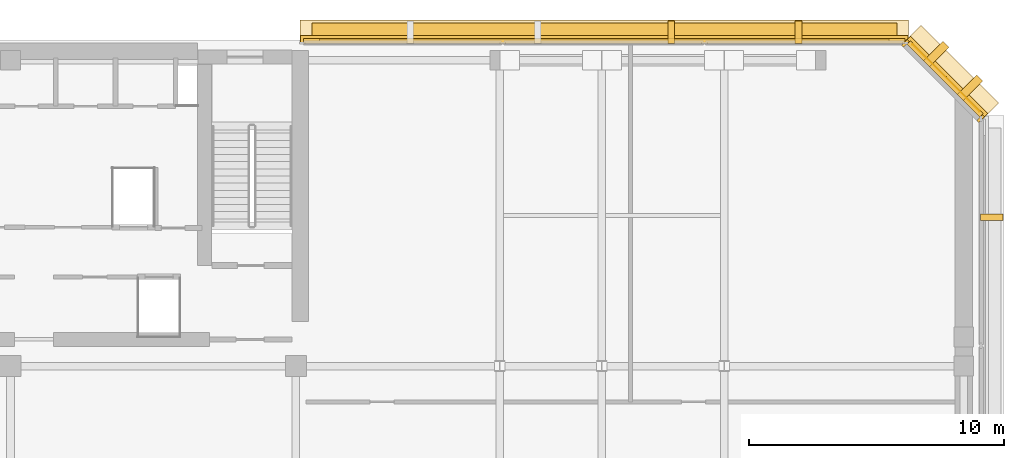
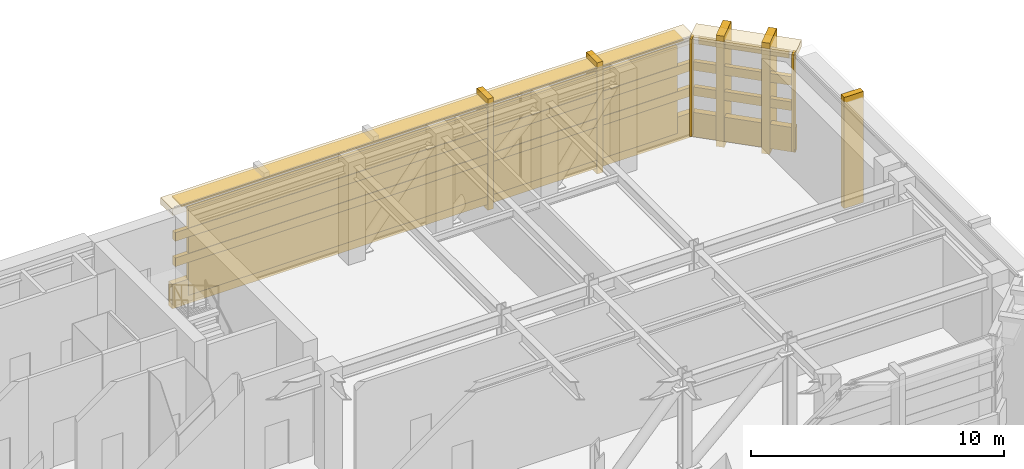
# One storey, part 11 of 11: 16 coverings, 2 shading devices.
"""IFC4 building model written with IfcOpenShell, lengths in metres."""

from ifc_helpers import new_model, si_unit, direction, frame, origin, origin_2d, place, context, subcontext, project, spatial, rectangle, extrude, material, layer, layer_set, type_object, element, save


model = new_model("IFC4")

# Units and contexts
model_context = context("Model", 3, precision=1e-05, world=origin(), true_north=direction((0.0, 1.0)))
body_context = subcontext(model_context, "Body", "Model", "MODEL_VIEW")
ifc_project = project(units=[si_unit("LENGTHUNIT", "METRE"), si_unit("AREAUNIT", "SQUARE_METRE"), si_unit("VOLUMEUNIT", "CUBIC_METRE"), si_unit("PLANEANGLEUNIT", "RADIAN"), si_unit("MASSUNIT", "GRAM", prefix="KILO")], contexts=[model_context])

# Site, building, storey
site_placement = place(None, origin())
site = spatial("IfcSite", under=ifc_project, at=site_placement, CompositionType="ELEMENT")
building_placement = place(site_placement, origin())
building = spatial("IfcBuilding", under=site, at=building_placement, Name="Kefirva Bronze Tower", CompositionType="ELEMENT")
storey_placement = place(building_placement, frame((0.0, 0.0, 251.4599609375)))
storey = spatial("IfcBuildingStorey", under=building, at=storey_placement, Name="L61", CompositionType="ELEMENT", Elevation=251.4599609375)

# Coverings
ifc_material = material(Name="Bronze anodised aluminium", Category="aluminium")
ifc_layer_1 = layer(ifc_material, 0.02001953125, Name="Bronze anodised aluminium")
ifc_layer_set_1 = layer_set([ifc_layer_1], Name="Bronze anodised aluminium")
covering_type_1 = type_object("IfcCoveringType", Name="Anodised Bronze Spandrel Cladding 20mm", PredefinedType="CLADDING", material=ifc_layer_set_1)
covering_1_placement = place(storey_placement, frame((48.70703125, 44.507080078125, 4.280029296875), z_axis=(0.0, 0.0, 1.0), x_axis=(-0.707106781187, 0.707106781187, 0.0)))
element("IfcCovering", 1, at=covering_1_placement, inside=storey, type_object=covering_type_1, Name="L61 Bronze Spandrel Cladding 5", PredefinedType="CLADDING", context=body_context, shape_type="SweptSolid", body=[
    extrude(rectangle(XDim=3.719482421875, YDim=0.02001953125, at=origin_2d()), origin(), (0.0, 0.0, 1.0), 0.39990234375),
])
for number, where, z_axis, x_axis, name in (
    (2, (50.06201171875, 42.91162109375, 0.0), (0.0, 0.0, 1.0), (-0.707106781187, 0.707106781187, 0.0), "L61 Facade Joint Closure Panel 5S"),
    (3, (47.11181640625, 45.862060546875, 0.0), (0.0, 0.0, 1.0), (-0.707106781187, 0.707106781187, 0.0), "L61 Facade Joint Closure Panel 5E"),
):
    element("IfcCovering", number, at=place(storey_placement, frame(where, z_axis=z_axis, x_axis=x_axis)), inside=storey, type_object=covering_type_1, Name=name, PredefinedType="CLADDING", context=body_context, shape_type="SweptSolid", body=[
        extrude(rectangle(XDim=0.10009765625, YDim=0.320068359375, at=origin_2d()), origin(), (0.0, 0.0, 1.0), 4.699951171875),
    ])
covering_2_placement = place(storey_placement, frame((48.728271484375, 44.5283203125, -0.16015625), z_axis=(0.0, 0.0, 1.0), x_axis=(-0.707106781187, 0.707106781187, 0.0)))
element("IfcCovering", 4, at=covering_2_placement, inside=storey, type_object=covering_type_1, Name="L61 Streamline Horizontal Spandrel Band 7", PredefinedType="CLADDING", context=body_context, shape_type="SweptSolid", body=[
    extrude(rectangle(XDim=4.28271484375, YDim=0.280029296875, at=origin_2d()), origin(), (0.0, 0.0, 1.0), 1.179931640625),
])
for number, where, z_axis, x_axis, name in (
    (5, (48.671630859375, 44.4716796875, 1.858154296875), (0.0, 0.0, 1.0), (-0.707106781187, 0.707106781187, 0.0), "L61 Recessed Zone-Break Bronze Louvre Band 7-1"),
    (6, (48.671630859375, 44.4716796875, 3.080078125), (0.0, 0.0, 1.0), (-0.707106781187, 0.707106781187, 0.0), "L61 Recessed Zone-Break Bronze Louvre Band 7-2"),
):
    element("IfcCovering", number, at=place(storey_placement, frame(where, z_axis=z_axis, x_axis=x_axis)), inside=storey, type_object=covering_type_1, Name=name, PredefinedType="CLADDING", context=body_context, shape_type="SweptSolid", body=[
        extrude(rectangle(XDim=4.04248046875, YDim=0.199951171875, at=origin_2d()), origin(), (0.0, 0.0, 1.0), 0.419921875),
    ])
covering_3_placement = place(storey_placement, frame((35.302490234375, 46.0400390625, -0.16015625), z_axis=(0.0, 0.0, 1.0), x_axis=(-1.0, 0.0, 0.0)))
element("IfcCovering", 7, at=covering_3_placement, inside=storey, type_object=covering_type_1, Name="L61 Streamline Horizontal Spandrel Band 8", PredefinedType="CLADDING", context=body_context, shape_type="SweptSolid", body=[
    extrude(rectangle(XDim=23.8349609375, YDim=0.280029296875, at=origin_2d()), origin(), (0.0, 0.0, 1.0), 1.179931640625),
])
for number, where, z_axis, x_axis, name in (
    (8, (35.302490234375, 45.9599609375, 1.858154296875), (0.0, 0.0, 1.0), (-1.0, 0.0, 0.0), "L61 Recessed Zone-Break Bronze Louvre Band 8-1"),
    (9, (35.302490234375, 45.9599609375, 3.080078125), (0.0, 0.0, 1.0), (-1.0, 0.0, 0.0), "L61 Recessed Zone-Break Bronze Louvre Band 8-2"),
):
    element("IfcCovering", number, at=place(storey_placement, frame(where, z_axis=z_axis, x_axis=x_axis)), inside=storey, type_object=covering_type_1, Name=name, PredefinedType="CLADDING", context=body_context, shape_type="SweptSolid", body=[
        extrude(rectangle(XDim=23.594970703125, YDim=0.199951171875, at=origin_2d()), origin(), (0.0, 0.0, 1.0), 0.419921875),
    ])

# Shading devices
ifc_layer_2 = layer(ifc_material, 0.090087890625, Name="Bronze anodised aluminium")
ifc_layer_set_2 = layer_set([ifc_layer_2], Name="Bronze anodised aluminium")
shading_device_type_1 = type_object("IfcShadingDeviceType", Name="Horizontal Bronze Sunshade Band 750mm", PredefinedType="JALOUSIE", material=ifc_layer_set_2)
shading_device_1_placement = place(storey_placement, frame((35.302490234375, 46.294921875, 4.59521484375), z_axis=(0.0, 0.0, 1.0), x_axis=(-1.0, 0.0, 0.0)))
element("IfcShadingDevice", 10, at=shading_device_1_placement, inside=storey, type_object=shading_device_type_1, Name="L61 Horizontal Bronze Sunshade Band 8", PredefinedType="JALOUSIE", context=body_context, shape_type="SweptSolid", body=[
    extrude(rectangle(XDim=22.93994140625, YDim=0.75, at=origin_2d()), origin(), (0.0, 0.0, 1.0), 0.090087890625),
])
ifc_layer_3 = layer(ifc_material, 0.159912109375, Name="Bronze anodised aluminium")
ifc_layer_set_3 = layer_set([ifc_layer_3], Name="Bronze anodised aluminium")
shading_device_type_2 = type_object("IfcShadingDeviceType", Name="Recessed Zone-Break Acoustic Louvre Screen", PredefinedType="SHUTTER", material=ifc_layer_set_3)
shading_device_2_placement = place(storey_placement, frame((35.302490234375, 45.9599609375, 0.25), z_axis=(0.0, 0.0, 1.0), x_axis=(-1.0, 0.0, 0.0)))
element("IfcShadingDevice", 11, at=shading_device_2_placement, inside=storey, type_object=shading_device_type_2, Name="L61 Acoustic Plant Louvre Screen 8", PredefinedType="SHUTTER", context=body_context, shape_type="SweptSolid", body=[
    extrude(rectangle(XDim=22.340087890625, YDim=0.159912109375, at=origin_2d()), origin(), (0.0, 0.0, 1.0), 4.199951171875),
])

# Coverings
ifc_layer_4 = layer(ifc_material, 0.179931640625, Name="Bronze anodised aluminium")
ifc_layer_set_4 = layer_set([ifc_layer_4], Name="Bronze anodised aluminium")
covering_type_2 = type_object("IfcCoveringType", Name="Streamline Bronze Sunshade Eyebrow Cladding 180mm", PredefinedType="CLADDING", material=ifc_layer_set_4)
covering_4_placement = place(storey_placement, frame((48.919189453125, 44.71923828125, 4.3798828125), z_axis=(0.0, 0.0, 1.0), x_axis=(-0.707106781187, 0.707106781187, 0.0)))
element("IfcCovering", 12, at=covering_4_placement, inside=storey, type_object=covering_type_2, Name="L61 Streamline Bronze Sunshade Eyebrow 7", PredefinedType="CLADDING", context=body_context, shape_type="SweptSolid", body=[
    extrude(rectangle(XDim=4.322509765625, YDim=0.93994140625, at=origin_2d()), origin(), (0.0, 0.0, 1.0), 0.320068359375),
])
covering_5_placement = place(storey_placement, frame((35.302490234375, 46.31005859375, 4.3798828125), z_axis=(0.0, 0.0, 1.0), x_axis=(-1.0, 0.0, 0.0)))
element("IfcCovering", 13, at=covering_5_placement, inside=storey, type_object=covering_type_2, Name="L61 Streamline Bronze Sunshade Eyebrow 8", PredefinedType="CLADDING", context=body_context, shape_type="SweptSolid", body=[
    extrude(rectangle(XDim=23.875, YDim=0.93994140625, at=origin_2d()), origin(), (0.0, 0.0, 1.0), 0.320068359375),
])
ifc_layer_5 = layer(ifc_material, 0.260009765625, Name="Bronze anodised aluminium")
ifc_layer_set_5 = layer_set([ifc_layer_5], Name="Bronze anodised aluminium")
covering_type_3 = type_object("IfcCoveringType", Name="Unbroken Bronze Buttress Fin Cladding 260mm", PredefinedType="CLADDING", material=ifc_layer_set_5)
covering_6_placement = place(storey_placement, frame((50.5, 39.0400390625, -0.419921875), z_axis=(0.0, 0.0, 1.0), x_axis=(0.0, 1.0, 0.0)))
element("IfcCovering", 14, at=covering_6_placement, inside=storey, type_object=covering_type_3, Name="L61 Unbroken Vertical Bronze Rib Fin 14", PredefinedType="CLADDING", context=body_context, shape_type="SweptSolid", body=[
    extrude(rectangle(XDim=0.260009765625, YDim=0.8798828125, at=origin_2d()), origin(), (0.0, 0.0, 1.0), 5.3701171875),
])
for number, where, z_axis, x_axis, name in (
    (15, (49.642822265625, 44.122802734375, -0.419921875), (0.0, 0.0, 1.0), (-0.707106781187, 0.707106781187, 0.0), "L61 Chamfered Corner Buttress Fin Cladding 15"),
    (16, (48.32275390625, 45.44287109375, -0.419921875), (0.0, 0.0, 1.0), (-0.707106781187, 0.707106781187, 0.0), "L61 Chamfered Corner Buttress Fin Cladding 16"),
):
    element("IfcCovering", number, at=place(storey_placement, frame(where, z_axis=z_axis, x_axis=x_axis)), inside=storey, type_object=covering_type_3, Name=name, PredefinedType="CLADDING", context=body_context, shape_type="SweptSolid", body=[
        extrude(rectangle(XDim=0.340087890625, YDim=1.080078125, at=origin_2d()), origin(), (0.0, 0.0, 1.0), 5.3701171875),
    ])
for number, where, z_axis, x_axis, name in (
    (17, (42.9169921875, 46.300048828125, -0.419921875), (0.0, 0.0, 1.0), (-1.0, 0.0, 0.0), "L61 Unbroken Vertical Bronze Rib Fin 17"),
    (18, (37.919921875, 46.300048828125, -0.419921875), (0.0, 0.0, 1.0), (-1.0, 0.0, 0.0), "L61 Unbroken Vertical Bronze Rib Fin 18"),
):
    element("IfcCovering", number, at=place(storey_placement, frame(where, z_axis=z_axis, x_axis=x_axis)), inside=storey, type_object=covering_type_3, Name=name, PredefinedType="CLADDING", context=body_context, shape_type="SweptSolid", body=[
        extrude(rectangle(XDim=0.260009765625, YDim=0.8798828125, at=origin_2d()), origin(), (0.0, 0.0, 1.0), 5.3701171875),
    ])

save(model, "model.ifc")
